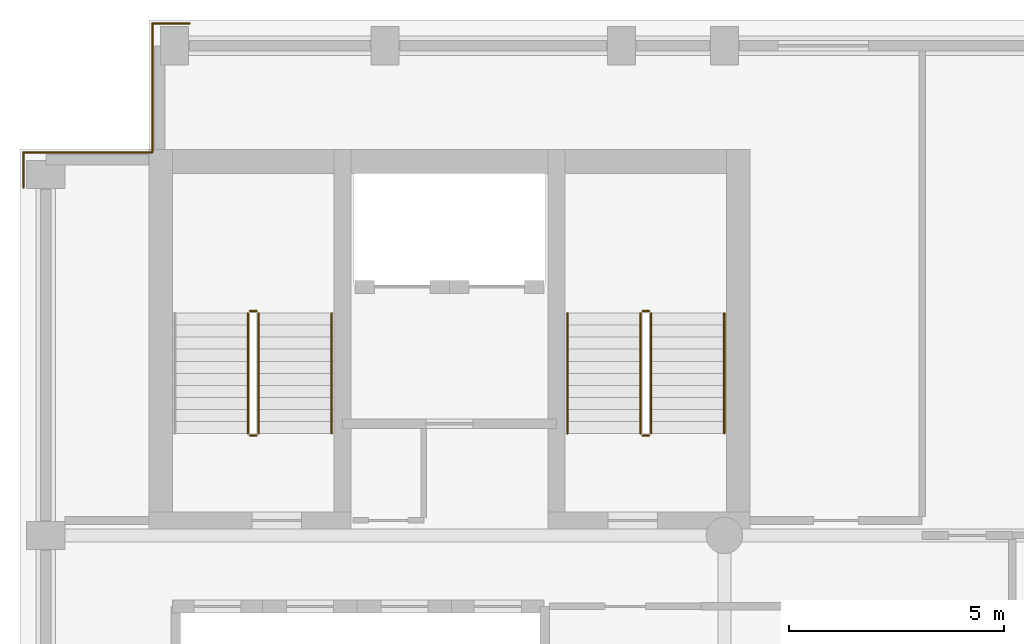
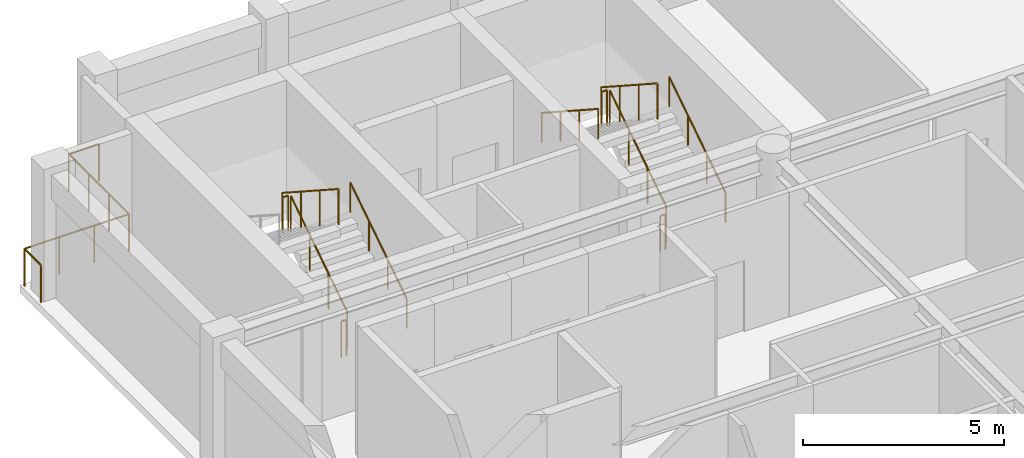
# One storey, part 8 of 9: 15 railings.
"""IFC4 building model written with IfcOpenShell, lengths in metres."""

from ifc_helpers import new_model, si_unit, direction, frame, origin, origin_2d, place, context, subcontext, project, spatial, circle, extrude, material, type_object, element, save


model = new_model("IFC4")

# Units and contexts
model_context = context("Model", 3, precision=1e-05, world=origin(), true_north=direction((0.0, 1.0)))
body_context = subcontext(model_context, "Body", "Model", "MODEL_VIEW")
ifc_project = project(units=[si_unit("LENGTHUNIT", "METRE"), si_unit("AREAUNIT", "SQUARE_METRE"), si_unit("VOLUMEUNIT", "CUBIC_METRE"), si_unit("PLANEANGLEUNIT", "RADIAN"), si_unit("MASSUNIT", "GRAM", prefix="KILO")], contexts=[model_context])

# Site, building, storey
site_placement = place(None, origin())
site = spatial("IfcSite", under=ifc_project, at=site_placement, CompositionType="ELEMENT")
building_placement = place(site_placement, origin())
building = spatial("IfcBuilding", under=site, at=building_placement, Name="Sulina Concourse Tower", CompositionType="ELEMENT")
storey_placement = place(building_placement, frame((0.0, 0.0, 289.0)))
storey = spatial("IfcBuildingStorey", under=building, at=storey_placement, Name="L70", CompositionType="ELEMENT", Elevation=289.0)

# Railings
ifc_material_1 = material(Name="Galvanised steel railing", Category="steel")
railing_type_1 = type_object("IfcRailingType", Name="Core Stair Steel Guardrail 1150mm", PredefinedType="GUARDRAIL", material=ifc_material_1)
railing_1_placement = place(storey_placement, frame((0.080078125, 42.10009765625, 0.0)))
element("IfcRailing", 1, at=railing_1_placement, inside=storey, type_object=railing_type_1, Name="L70 perimeter edge safety guardrail NW1", PredefinedType="GUARDRAIL", context=body_context, shape_type="SweptSolid", body=[
    extrude(circle(Radius=0.02392578125, at=origin_2d()), frame((0.0, 0.0, 1.1259765625), z_axis=(0.0, 1.0, 0.0), x_axis=(-1.0, 0.0, 0.0)), (0.0, 0.0, 1.0), 0.81982421875),
    extrude(circle(Radius=0.02099609375, at=origin_2d()), origin(), (0.0, 0.0, 1.0), 1.101806640625),
    extrude(circle(Radius=0.02099609375, at=origin_2d()), frame((0.0, 0.81982421875, 0.0)), (0.0, 0.0, 1.0), 1.101806640625),
])
railing_2_placement = place(storey_placement, frame((0.080078125, 42.919921875, 0.0)))
element("IfcRailing", 2, at=railing_2_placement, inside=storey, type_object=railing_type_1, Name="L70 perimeter edge safety guardrail NW2", PredefinedType="GUARDRAIL", context=body_context, shape_type="SweptSolid", body=[
    extrude(circle(Radius=0.02392578125, at=origin_2d()), frame((0.0, 0.0, 1.1259765625), z_axis=(1.0, 0.0, 0.0), x_axis=(0.0, 1.0, 0.0)), (0.0, 0.0, 1.0), 3.0),
    extrude(circle(Radius=0.02099609375, at=origin_2d()), origin(), (0.0, 0.0, 1.0), 1.101806640625),
    extrude(circle(Radius=0.02099609375, at=origin_2d()), frame((1.0, 0.0, 0.0)), (0.0, 0.0, 1.0), 1.101806640625),
    extrude(circle(Radius=0.02099609375, at=origin_2d()), frame((2.0, 0.0, 0.0)), (0.0, 0.0, 1.0), 1.101806640625),
    extrude(circle(Radius=0.02099609375, at=origin_2d()), frame((3.0, 0.0, 0.0)), (0.0, 0.0, 1.0), 1.101806640625),
])
railing_3_placement = place(storey_placement, frame((3.080078125, 42.919921875, 0.0)))
element("IfcRailing", 3, at=railing_3_placement, inside=storey, type_object=railing_type_1, Name="L70 perimeter edge safety guardrail NW3", PredefinedType="GUARDRAIL", context=body_context, shape_type="SweptSolid", body=[
    extrude(circle(Radius=0.02392578125, at=origin_2d()), frame((0.0, 0.0, 1.1259765625), z_axis=(0.0, 1.0, 0.0), x_axis=(-1.0, 0.0, 0.0)), (0.0, 0.0, 1.0), 3.0),
    extrude(circle(Radius=0.02099609375, at=origin_2d()), origin(), (0.0, 0.0, 1.0), 1.101806640625),
    extrude(circle(Radius=0.02099609375, at=origin_2d()), frame((0.0, 1.0, 0.0)), (0.0, 0.0, 1.0), 1.101806640625),
    extrude(circle(Radius=0.02099609375, at=origin_2d()), frame((0.0, 2.0, 0.0)), (0.0, 0.0, 1.0), 1.101806640625),
    extrude(circle(Radius=0.02099609375, at=origin_2d()), frame((0.0, 3.0, 0.0)), (0.0, 0.0, 1.0), 1.101806640625),
])
railing_4_placement = place(storey_placement, frame((3.080078125, 45.919921875, 0.0)))
element("IfcRailing", 4, at=railing_4_placement, inside=storey, type_object=railing_type_1, Name="L70 perimeter edge safety guardrail NW4", PredefinedType="GUARDRAIL", context=body_context, shape_type="SweptSolid", body=[
    extrude(circle(Radius=0.02392578125, at=origin_2d()), frame((0.0, 0.0, 1.1259765625), z_axis=(1.0, 0.0, 0.0), x_axis=(0.0, 1.0, 0.0)), (0.0, 0.0, 1.0), 0.869873046875),
    extrude(circle(Radius=0.02099609375, at=origin_2d()), origin(), (0.0, 0.0, 1.0), 1.101806640625),
    extrude(circle(Radius=0.02099609375, at=origin_2d()), frame((0.869873046875, 0.0, 0.0)), (0.0, 0.0, 1.0), 1.101806640625),
])
railing_5_placement = place(storey_placement, frame((5.554931640625, 36.375, 0.181884765625)))
element("IfcRailing", 5, at=railing_5_placement, inside=storey, type_object=railing_type_1, Name="L70 ST-1 stair guard 1", PredefinedType="GUARDRAIL", context=body_context, shape_type="SweptSolid", body=[
    extrude(circle(Radius=0.02392578125, at=origin_2d()), frame((0.0, 0.0, 1.076171875), z_axis=(0.0, 0.838705829183, 0.544584733623), x_axis=(-1.0, 0.0, 0.0)), (0.0, 0.0, 1.0), 3.338623046875),
    extrude(circle(Radius=0.02099609375, at=origin_2d()), origin(), (0.0, 0.0, 1.0), 1.052001953125),
    extrude(circle(Radius=0.02099609375, at=origin_2d()), frame((0.0, 0.933349609375, 0.60595703125)), (0.0, 0.0, 1.0), 1.052001953125),
    extrude(circle(Radius=0.02099609375, at=origin_2d()), frame((0.0, 1.86669921875, 1.212158203125)), (0.0, 0.0, 1.0), 1.052001953125),
    extrude(circle(Radius=0.02099609375, at=origin_2d()), frame((0.0, 2.800048828125, 1.818115234375)), (0.0, 0.0, 1.0), 1.052001953125),
])
railing_6_placement = place(storey_placement, frame((5.5048828125, 39.22509765625, 2.0)))
element("IfcRailing", 6, at=railing_6_placement, inside=storey, type_object=railing_type_1, Name="L70 ST-1 stair guard 2", PredefinedType="GUARDRAIL", context=body_context, shape_type="SweptSolid", body=[
    extrude(circle(Radius=0.02392578125, at=origin_2d()), frame((0.0, 0.0, 1.076171875), z_axis=(-1.0, 0.0, 0.0), x_axis=(0.0, -1.0, 0.0)), (0.0, 0.0, 1.0), 0.14990234375),
    extrude(circle(Radius=0.02099609375, at=origin_2d()), origin(), (0.0, 0.0, 1.0), 1.052001953125),
    extrude(circle(Radius=0.02099609375, at=origin_2d()), frame((-0.14990234375, 0.0, 0.0)), (0.0, 0.0, 1.0), 1.052001953125),
])
railing_7_placement = place(storey_placement, frame((5.304931640625, 39.175048828125, 2.181884765625)))
element("IfcRailing", 7, at=railing_7_placement, inside=storey, type_object=railing_type_1, Name="L70 ST-1 stair guard 3", PredefinedType="GUARDRAIL", context=body_context, shape_type="SweptSolid", body=[
    extrude(circle(Radius=0.02392578125, at=origin_2d()), frame((0.0, 0.0, 1.076171875), z_axis=(0.0, -0.838705829183, 0.544584733623), x_axis=(1.0, 0.0, 0.0)), (0.0, 0.0, 1.0), 3.338623046875),
    extrude(circle(Radius=0.02099609375, at=origin_2d()), origin(), (0.0, 0.0, 1.0), 1.052001953125),
    extrude(circle(Radius=0.02099609375, at=origin_2d()), frame((0.0, -0.933349609375, 0.60595703125)), (0.0, 0.0, 1.0), 1.052001953125),
    extrude(circle(Radius=0.02099609375, at=origin_2d()), frame((0.0, -1.86669921875, 1.212158203125)), (0.0, 0.0, 1.0), 1.052001953125),
    extrude(circle(Radius=0.02099609375, at=origin_2d()), frame((0.0, -2.800048828125, 1.818115234375)), (0.0, 0.0, 1.0), 1.052001953125),
])
railing_8_placement = place(storey_placement, frame((5.5048828125, 36.324951171875, 0.0)))
element("IfcRailing", 8, at=railing_8_placement, inside=storey, type_object=railing_type_1, Name="L70 ST-1 stair guard 4", PredefinedType="GUARDRAIL", context=body_context, shape_type="SweptSolid", body=[
    extrude(circle(Radius=0.02392578125, at=origin_2d()), frame((0.0, 0.0, 1.076171875), z_axis=(-1.0, 0.0, 0.0), x_axis=(0.0, -1.0, 0.0)), (0.0, 0.0, 1.0), 0.14990234375),
    extrude(circle(Radius=0.02099609375, at=origin_2d()), origin(), (0.0, 0.0, 1.0), 1.052001953125),
    extrude(circle(Radius=0.02099609375, at=origin_2d()), frame((-0.14990234375, 0.0, 0.0)), (0.0, 0.0, 1.0), 1.052001953125),
])
railing_9_placement = place(storey_placement, frame((14.695068359375, 36.375, 0.181884765625)))
element("IfcRailing", 9, at=railing_9_placement, inside=storey, type_object=railing_type_1, Name="L70 ST-2 stair guard 1", PredefinedType="GUARDRAIL", context=body_context, shape_type="SweptSolid", body=[
    extrude(circle(Radius=0.02392578125, at=origin_2d()), frame((0.0, 0.0, 1.076171875), z_axis=(0.0, 0.838705829183, 0.544584733623), x_axis=(-1.0, 0.0, 0.0)), (0.0, 0.0, 1.0), 3.338623046875),
    extrude(circle(Radius=0.02099609375, at=origin_2d()), origin(), (0.0, 0.0, 1.0), 1.052001953125),
    extrude(circle(Radius=0.02099609375, at=origin_2d()), frame((0.0, 0.933349609375, 0.60595703125)), (0.0, 0.0, 1.0), 1.052001953125),
    extrude(circle(Radius=0.02099609375, at=origin_2d()), frame((0.0, 1.86669921875, 1.212158203125)), (0.0, 0.0, 1.0), 1.052001953125),
    extrude(circle(Radius=0.02099609375, at=origin_2d()), frame((0.0, 2.800048828125, 1.818115234375)), (0.0, 0.0, 1.0), 1.052001953125),
])
railing_10_placement = place(storey_placement, frame((14.64501953125, 39.22509765625, 2.0)))
element("IfcRailing", 10, at=railing_10_placement, inside=storey, type_object=railing_type_1, Name="L70 ST-2 stair guard 2", PredefinedType="GUARDRAIL", context=body_context, shape_type="SweptSolid", body=[
    extrude(circle(Radius=0.02392578125, at=origin_2d()), frame((0.0, 0.0, 1.076171875), z_axis=(-1.0, 0.0, 0.0), x_axis=(0.0, -1.0, 0.0)), (0.0, 0.0, 1.0), 0.14990234375),
    extrude(circle(Radius=0.02099609375, at=origin_2d()), origin(), (0.0, 0.0, 1.0), 1.052001953125),
    extrude(circle(Radius=0.02099609375, at=origin_2d()), frame((-0.14990234375, 0.0, 0.0)), (0.0, 0.0, 1.0), 1.052001953125),
])
railing_11_placement = place(storey_placement, frame((14.445068359375, 39.175048828125, 2.181884765625)))
element("IfcRailing", 11, at=railing_11_placement, inside=storey, type_object=railing_type_1, Name="L70 ST-2 stair guard 3", PredefinedType="GUARDRAIL", context=body_context, shape_type="SweptSolid", body=[
    extrude(circle(Radius=0.02392578125, at=origin_2d()), frame((0.0, 0.0, 1.076171875), z_axis=(0.0, -0.838705829183, 0.544584733623), x_axis=(1.0, 0.0, 0.0)), (0.0, 0.0, 1.0), 3.338623046875),
    extrude(circle(Radius=0.02099609375, at=origin_2d()), origin(), (0.0, 0.0, 1.0), 1.052001953125),
    extrude(circle(Radius=0.02099609375, at=origin_2d()), frame((0.0, -0.933349609375, 0.60595703125)), (0.0, 0.0, 1.0), 1.052001953125),
    extrude(circle(Radius=0.02099609375, at=origin_2d()), frame((0.0, -1.86669921875, 1.212158203125)), (0.0, 0.0, 1.0), 1.052001953125),
    extrude(circle(Radius=0.02099609375, at=origin_2d()), frame((0.0, -2.800048828125, 1.818115234375)), (0.0, 0.0, 1.0), 1.052001953125),
])
railing_12_placement = place(storey_placement, frame((14.64501953125, 36.324951171875, 0.0)))
element("IfcRailing", 12, at=railing_12_placement, inside=storey, type_object=railing_type_1, Name="L70 ST-2 stair guard 4", PredefinedType="GUARDRAIL", context=body_context, shape_type="SweptSolid", body=[
    extrude(circle(Radius=0.02392578125, at=origin_2d()), frame((0.0, 0.0, 1.076171875), z_axis=(-1.0, 0.0, 0.0), x_axis=(0.0, -1.0, 0.0)), (0.0, 0.0, 1.0), 0.14990234375),
    extrude(circle(Radius=0.02099609375, at=origin_2d()), origin(), (0.0, 0.0, 1.0), 1.052001953125),
    extrude(circle(Radius=0.02099609375, at=origin_2d()), frame((-0.14990234375, 0.0, 0.0)), (0.0, 0.0, 1.0), 1.052001953125),
])
ifc_material_2 = material(Name="Galvanised steel railing", Category="steel")
railing_type_2 = type_object("IfcRailingType", Name="Stair Wall Steel Handrail 920mm", PredefinedType="HANDRAIL", material=ifc_material_2)
for number, where, name in (
    (13, (7.2548828125, 36.375, 0.181884765625), "L70 ST-1 stair handrail 1"),
    (14, (16.39501953125, 36.375, 0.181884765625), "L70 ST-2 stair handrail 1"),
):
    element("IfcRailing", number, at=place(storey_placement, frame(where)), inside=storey, type_object=railing_type_2, Name=name, PredefinedType="HANDRAIL", context=body_context, shape_type="SweptSolid", body=[
        extrude(circle(Radius=0.02392578125, at=origin_2d()), frame((0.0, 0.0, 0.89599609375), z_axis=(0.0, 0.838705829183, 0.544584733623), x_axis=(-1.0, 0.0, 0.0)), (0.0, 0.0, 1.0), 3.338623046875),
        extrude(circle(Radius=0.02099609375, at=origin_2d()), origin(), (0.0, 0.0, 1.0), 0.871826171875),
        extrude(circle(Radius=0.02099609375, at=origin_2d()), frame((0.0, 0.933349609375, 0.60595703125)), (0.0, 0.0, 1.0), 0.871826171875),
        extrude(circle(Radius=0.02099609375, at=origin_2d()), frame((0.0, 1.86669921875, 1.212158203125)), (0.0, 0.0, 1.0), 0.871826171875),
        extrude(circle(Radius=0.02099609375, at=origin_2d()), frame((0.0, 2.800048828125, 1.818115234375)), (0.0, 0.0, 1.0), 0.871826171875),
    ])
railing_13_placement = place(storey_placement, frame((12.7451171875, 39.175048828125, 2.181884765625)))
element("IfcRailing", 15, at=railing_13_placement, inside=storey, type_object=railing_type_2, Name="L70 ST-2 stair handrail 2", PredefinedType="HANDRAIL", context=body_context, shape_type="SweptSolid", body=[
    extrude(circle(Radius=0.02392578125, at=origin_2d()), frame((0.0, 0.0, 0.89599609375), z_axis=(0.0, -0.838705829183, 0.544584733623), x_axis=(1.0, 0.0, 0.0)), (0.0, 0.0, 1.0), 3.338623046875),
    extrude(circle(Radius=0.02099609375, at=origin_2d()), origin(), (0.0, 0.0, 1.0), 0.871826171875),
    extrude(circle(Radius=0.02099609375, at=origin_2d()), frame((0.0, -0.933349609375, 0.60595703125)), (0.0, 0.0, 1.0), 0.871826171875),
    extrude(circle(Radius=0.02099609375, at=origin_2d()), frame((0.0, -1.86669921875, 1.212158203125)), (0.0, 0.0, 1.0), 0.871826171875),
    extrude(circle(Radius=0.02099609375, at=origin_2d()), frame((0.0, -2.800048828125, 1.818115234375)), (0.0, 0.0, 1.0), 0.871826171875),
])

save(model, "model.ifc")
